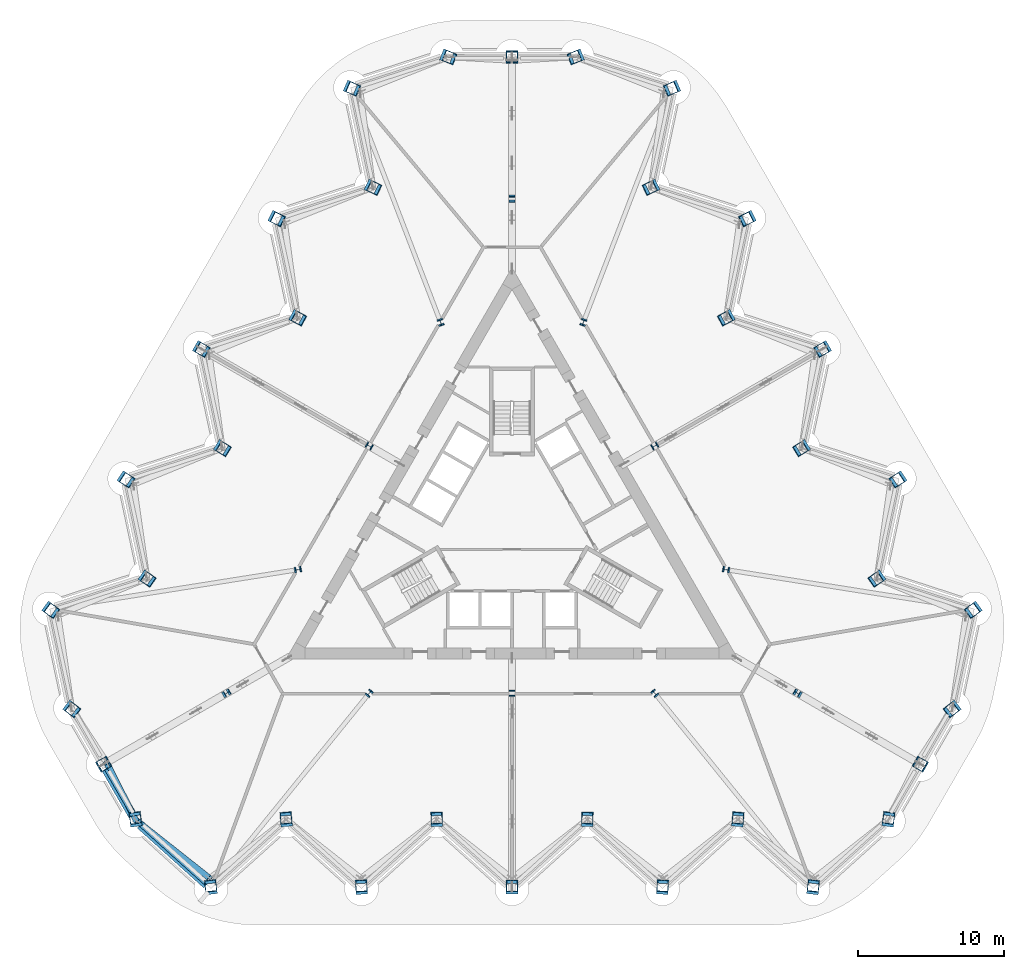
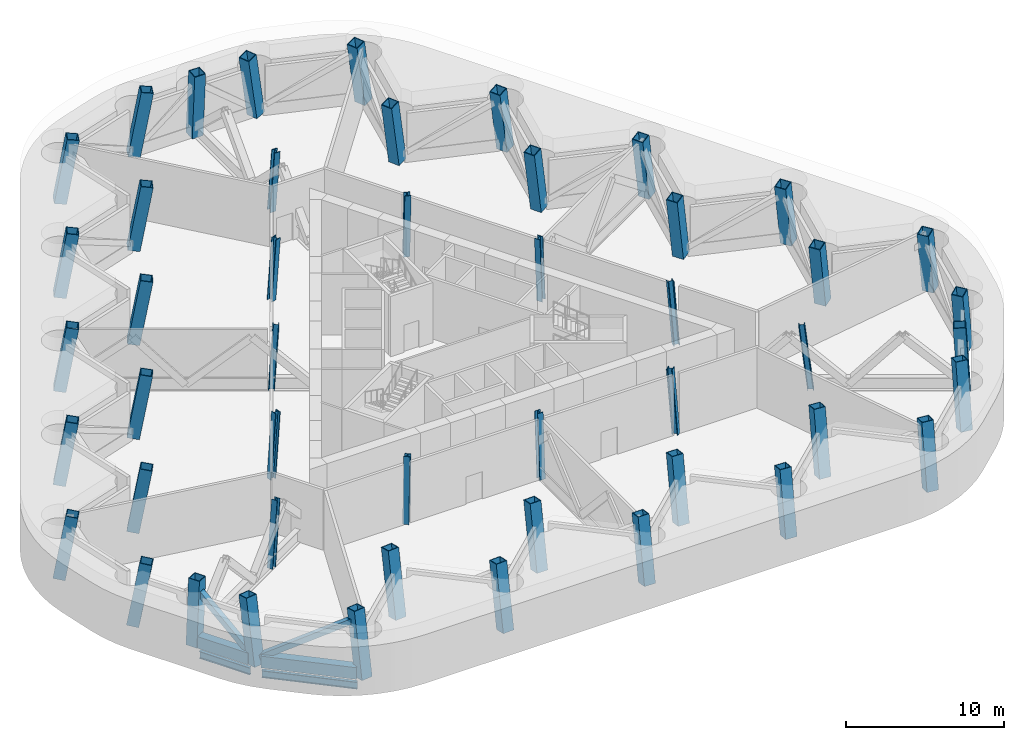
# One storey, part 1 of 13: 48 columns, 4 members, 2 beams.
"""IFC4 building model written with IfcOpenShell, lengths in metres."""

import ifcopenshell
import ifcopenshell.guid

model = None  # the IFC model being written
_history = None  # IfcOwnerHistory: only IFC2X3 demands one
_inside = {}  # id of a spatial element -> (the spatial element, [elements in it])
_under = {}  # id of a project, library or spatial element -> (it, [spatial elements below it])
_declared = {}  # id of a project -> (the project, [libraries it declares])
_typed = {}  # id of a type object -> (the type object, [elements of that type])
_made_of = {}  # id of a material, layer set ... -> (it, [elements and type objects made of it])


def new_model(schema):
    """Start an empty IFC model of exactly this schema.

    Asked for "IFC4X3", IfcOpenShell would pick the latest addendum, in which some entities
    have other attributes; the version numbers below select the first issue.
    IFC2X3 requires an IfcOwnerHistory on every rooted entity: one is made here for all.
    """
    global model, _history
    if schema == "IFC4X3":
        model = ifcopenshell.file(schema_version=(4, 3, 0, 0))
    else:
        model = ifcopenshell.file(schema=schema)
    _inside.clear()
    _under.clear()
    _declared.clear()
    _typed.clear()
    _made_of.clear()
    _history = None
    if model.schema == "IFC2X3":
        org = make("IfcOrganization", Name="unknown")
        user = make(
            "IfcPersonAndOrganization",
            ThePerson=make("IfcPerson", FamilyName="unknown"),
            TheOrganization=org,
        )
        app = make(
            "IfcApplication",
            ApplicationDeveloper=org,
            Version="unknown",
            ApplicationFullName="unknown",
            ApplicationIdentifier="unknown",
        )
        _history = make(
            "IfcOwnerHistory",
            OwningUser=user,
            OwningApplication=app,
            ChangeAction="ADDED",
            CreationDate=0,
        )
    return model


def make(cls, **values):
    """One entity of the class cls with the attributes given. An attribute that is None is left unset."""
    return model.create_entity(
        cls, **{name: value for name, value in values.items() if value is not None}
    )


def rooted(cls, **values):
    """An entity with a GlobalId (a new one), such as an element, a storey or a relation."""
    return make(cls, GlobalId=ifcopenshell.guid.new(), OwnerHistory=_history, **values)


def si_unit(unit_type, name, prefix=None):
    """IfcSIUnit, for example si_unit("LENGTHUNIT", "METRE", prefix="MILLI")."""
    return make("IfcSIUnit", UnitType=unit_type, Prefix=prefix, Name=name)


def assignment(units):
    """IfcUnitAssignment: the units of a project."""
    return None if units is None else make("IfcUnitAssignment", Units=units)


def point(xyz):
    """IfcCartesianPoint."""
    return None if xyz is None else make("IfcCartesianPoint", Coordinates=xyz)


def direction(xyz):
    """IfcDirection."""
    return None if xyz is None else make("IfcDirection", DirectionRatios=xyz)


def frame(location, z_axis=None, x_axis=None):
    """IfcAxis2Placement3D, a coordinate frame: its origin and axes. An axis left out is left unset."""
    return make(
        "IfcAxis2Placement3D",
        Location=point(location),
        Axis=direction(z_axis),
        RefDirection=direction(x_axis),
    )


def frame_2d(location, x_axis=None):
    """IfcAxis2Placement2D, a coordinate frame in the plane: its origin and x axis."""
    return make(
        "IfcAxis2Placement2D", Location=point(location), RefDirection=direction(x_axis)
    )


def origin():
    """The frame at (0, 0, 0) with its axes left unset."""
    return frame((0.0, 0.0, 0.0))


def origin_2d():
    """The frame at (0, 0) in the plane with its x axis left unset."""
    return frame_2d((0.0, 0.0))


def place(relative_to, where):
    """IfcLocalPlacement: puts the frame where relative to a parent placement (None: the world)."""
    return make(
        "IfcLocalPlacement", PlacementRelTo=relative_to, RelativePlacement=where
    )


def context(
    kind, dimensions, precision=None, world=None, true_north=None, identifier=None
):
    """IfcGeometricRepresentationContext, for example the 3D "Model" context."""
    return make(
        "IfcGeometricRepresentationContext",
        ContextIdentifier=identifier,
        ContextType=kind,
        CoordinateSpaceDimension=dimensions,
        Precision=precision,
        WorldCoordinateSystem=world,
        TrueNorth=true_north,
    )


def subcontext(parent, identifier, kind, view, scale=None):
    """IfcGeometricRepresentationSubContext, for example "Body" below "Model"."""
    return make(
        "IfcGeometricRepresentationSubContext",
        ContextIdentifier=identifier,
        ContextType=kind,
        ParentContext=parent,
        TargetScale=scale,
        TargetView=view,
    )


def project(units=None, contexts=None):
    """IfcProject with its units and contexts."""
    return rooted(
        "IfcProject",
        Name="project",
        RepresentationContexts=contexts,
        UnitsInContext=assignment(units),
    )


def spatial(cls, under=None, at=None, **own):
    """A site, building, storey or space (cls), placed at a placement, below another one or the project."""
    s = rooted(cls, ObjectPlacement=at, **own)
    if under is not None:
        _under.setdefault(under.id(), (under, []))[1].append(s)
    return s


def profile(cls, at=None, kind="AREA", **sizes):
    """A parametric profile (cls). Its sizes go by their IFC names, for example OverallWidth=200.0."""
    return make(cls, ProfileType=kind, Position=at, **sizes)


def hollow_rectangle(**sizes):
    """IfcRectangleHollowProfileDef."""
    return profile("IfcRectangleHollowProfileDef", **sizes)


def i_section(**sizes):
    """IfcIShapeProfileDef."""
    return profile("IfcIShapeProfileDef", **sizes)


def extrude(swept, where, along, depth):
    """IfcExtrudedAreaSolid: the profile swept, set in the frame where, extruded along a direction by depth."""
    return make(
        "IfcExtrudedAreaSolid",
        SweptArea=swept,
        Position=where,
        ExtrudedDirection=direction(along),
        Depth=depth,
    )


def shape(context_of_items, identifier, shape_type, items):
    """IfcShapeRepresentation: the items that make up one representation, for example the "Body"."""
    return make(
        "IfcShapeRepresentation",
        ContextOfItems=context_of_items,
        RepresentationIdentifier=identifier,
        RepresentationType=shape_type,
        Items=items,
    )


def material(Name=None, Category=None):
    """IfcMaterial."""
    return make("IfcMaterial", Name=Name, Category=Category)


def material_profile(
    of_material, cross_section, Name=None, Category=None, Priority=None
):
    """IfcMaterialProfile: a cross section and its material."""
    return make(
        "IfcMaterialProfile",
        Name=Name,
        Material=of_material,
        Profile=cross_section,
        Priority=Priority,
        Category=Category,
    )


def profile_set(profiles, Name=None, composite=None):
    """IfcMaterialProfileSet."""
    return make(
        "IfcMaterialProfileSet",
        Name=Name,
        MaterialProfiles=profiles,
        CompositeProfile=composite,
    )


def made_of(thing, what):
    """Note that an element or type object is made of a material, layer set ...; save() writes the relation."""
    if what is not None:
        _made_of.setdefault(what.id(), (what, []))[1].append(thing)
    return thing


def type_object(cls, material=None, **own):
    """A type object (cls), such as IfcWallType, which elements share."""
    return made_of(rooted(cls, **own), material)


def element(
    cls,
    number,
    at=None,
    inside=None,
    cuts=None,
    type_object=None,
    material=None,
    context=None,
    identifier="Body",
    shape_type=None,
    held_by="IfcProductDefinitionShape",
    body=None,
    shapes=None,
    **own,
):
    """One element of the class cls, such as IfcWall. Its Tag is "e" and its number.

    at: its placement. inside: the storey or other place that contains it. cuts: it is an
    opening in that element (IfcRelVoidsElement). A single representation is given by context,
    identifier, shape_type and body (its items); several are given by shapes. held_by: the class
    of the entity that holds the representations. save() writes the other relations.
    """
    e = rooted(cls, Tag="e%d" % number, ObjectPlacement=at, **own)
    if body is not None:
        shapes = [shape(context, identifier, shape_type, body)]
    if shapes is not None:
        e.Representation = make(held_by, Representations=shapes)
    if inside is not None:
        _inside.setdefault(inside.id(), (inside, []))[1].append(e)
    if cuts is not None:
        rooted(
            "IfcRelVoidsElement", RelatingBuildingElement=cuts, RelatedOpeningElement=e
        )
    if type_object is not None:
        _typed.setdefault(type_object.id(), (type_object, []))[1].append(e)
    return made_of(e, material)


def aggregate(whole, parts):
    """IfcRelAggregates: a whole, such as a stair, and the parts it consists of."""
    return rooted("IfcRelAggregates", RelatingObject=whole, RelatedObjects=parts)


def save(model, path):
    """Write the relations noted so far, then the file.

    IfcRelAggregates (storeys below a building ...), IfcRelContainedInSpatialStructure (elements
    in a storey), IfcRelDefinesByType, IfcRelAssociatesMaterial and IfcRelDeclares: one each for
    every whole, place, type object, material and project.
    """
    for whole, parts in _under.values():
        aggregate(whole, parts)
    for where, things in _inside.values():
        rooted(
            "IfcRelContainedInSpatialStructure",
            RelatedElements=things,
            RelatingStructure=where,
        )
    for kind, things in _typed.values():
        rooted("IfcRelDefinesByType", RelatedObjects=things, RelatingType=kind)
    for what, things in _made_of.values():
        rooted("IfcRelAssociatesMaterial", RelatedObjects=things, RelatingMaterial=what)
    for by, libraries in _declared.values():
        rooted("IfcRelDeclares", RelatingContext=by, RelatedDefinitions=libraries)
    model.write(path)


model = new_model("IFC4")

# Units and contexts
model_context = context("Model", 3, precision=1e-05, world=origin(), true_north=direction((0.0, 1.0)))
body_context = subcontext(model_context, "Body", "Model", "MODEL_VIEW")
ifc_project = project(units=[si_unit("LENGTHUNIT", "METRE"), si_unit("AREAUNIT", "SQUARE_METRE"), si_unit("VOLUMEUNIT", "CUBIC_METRE"), si_unit("PLANEANGLEUNIT", "RADIAN"), si_unit("MASSUNIT", "GRAM", prefix="KILO")], contexts=[model_context])

# Site, building, storey
site_placement = place(None, origin())
site = spatial("IfcSite", under=ifc_project, at=site_placement, CompositionType="ELEMENT")
building_placement = place(site_placement, origin())
building = spatial("IfcBuilding", under=site, at=building_placement, Name="Cormorant Prow Tower", CompositionType="ELEMENT")
storey_placement = place(building_placement, frame((0.0, 0.0, 226.0)))
storey = spatial("IfcBuildingStorey", under=building, at=storey_placement, Name="L49", CompositionType="ELEMENT", Elevation=226.0)

# Columns
ifc_material_1 = material(Name="Structural steel ASTM A572 Gr 50", Category="steel")
ifc_material_profile_1 = material_profile(ifc_material_1, hollow_rectangle(XDim=0.800048828125, YDim=0.800048828125, WallThickness=0.050048828125, at=origin_2d()), Name="Box 800x800x50")
ifc_profile_set_1 = profile_set([ifc_material_profile_1], Name="Structural steel ASTM A572 Gr 50")
column_type_1 = type_object("IfcColumnType", Name="Perimeter box column 800x800x50", PredefinedType="COLUMN", material=ifc_profile_set_1)
column_1_placement = place(storey_placement, frame((-25.823486328125, -20.0712890625, 0.0), z_axis=(-0.023191450174, 0.168691336745, 0.9853960572), x_axis=(-0.990681699534, -0.136197541123, 0.0)))
element("IfcColumn", 1, at=column_1_placement, inside=storey, type_object=column_type_1, Name="Perimeter column C4 at S00 L49", PredefinedType="COLUMN", context=body_context, shape_type="SweptSolid", body=[
    extrude(hollow_rectangle(XDim=0.800048828125, YDim=0.800048828125, WallThickness=0.050048828125, at=origin_2d()), frame((0.0, 0.0, 0.069091796875)), (0.0, 0.0, 1.0), 4.935791015625),
])
column_2_placement = place(storey_placement, frame((-20.658935546875, -24.7216796875, 0.0), z_axis=(-0.01853903048, 0.164636221326, 0.986180114876), x_axis=(-0.993719605933, -0.111898814941, 0.0)))
element("IfcColumn", 2, at=column_2_placement, inside=storey, type_object=column_type_1, Name="Perimeter column C4 at S01 L49", PredefinedType="COLUMN", context=body_context, shape_type="SweptSolid", body=[
    extrude(hollow_rectangle(XDim=0.800048828125, YDim=0.800048828125, WallThickness=0.050048828125, at=origin_2d()), frame((0.0, 0.0, 0.067138671875)), (0.0, 0.0, 1.0), 4.935546875),
])
column_3_placement = place(storey_placement, frame((-15.494140625, -20.0712890625, 0.0), z_axis=(-0.013907642807, 0.16872040028, 0.985565829359), x_axis=(-0.996619853329, -0.0821514939, 0.0)))
element("IfcColumn", 3, at=column_3_placement, inside=storey, type_object=column_type_1, Name="Perimeter column C4 at S02 L49", PredefinedType="COLUMN", context=body_context, shape_type="SweptSolid", body=[
    extrude(hollow_rectangle(XDim=0.800048828125, YDim=0.800048828125, WallThickness=0.050048828125, at=origin_2d()), frame((0.0, 0.0, 0.068603515625)), (0.0, 0.0, 1.0), 4.935791015625),
])
column_4_placement = place(storey_placement, frame((-10.329345703125, -24.7216796875, 0.0), z_axis=(-0.00929478787, 0.164657407907, 0.98630702367), x_axis=(-0.998410538481, -0.056359530251, 0.0)))
element("IfcColumn", 4, at=column_4_placement, inside=storey, type_object=column_type_1, Name="Perimeter column C4 at S03 L49", PredefinedType="COLUMN", context=body_context, shape_type="SweptSolid", body=[
    extrude(hollow_rectangle(XDim=0.800048828125, YDim=0.800048828125, WallThickness=0.050048828125, at=origin_2d()), frame((0.0, 0.0, 0.06689453125)), (0.0, 0.0, 1.0), 4.935546875),
])
column_5_placement = place(storey_placement, frame((-5.164794921875, -20.0712890625, 0.0), z_axis=(-0.004620237367, 0.168734918824, 0.985650638196), x_axis=(-0.999625333796, -0.027371372517, 0.0)))
element("IfcColumn", 5, at=column_5_placement, inside=storey, type_object=column_type_1, Name="Perimeter column C4 at S04 L49", PredefinedType="COLUMN", context=body_context, shape_type="SweptSolid", body=[
    extrude(hollow_rectangle(XDim=0.800048828125, YDim=0.800048828125, WallThickness=0.050048828125, at=origin_2d()), frame((0.0, 0.0, 0.068603515625)), (0.0, 0.0, 1.0), 4.935791015625),
])
column_6_placement = place(storey_placement, frame((0.0, -24.7216796875, 0.0), z_axis=(0.0, 0.164664520998, 0.986349631482), x_axis=(-1.0, 0.0, 0.0)))
element("IfcColumn", 6, at=column_6_placement, inside=storey, type_object=column_type_1, Name="Perimeter column C4 at S05 L49", PredefinedType="COLUMN", context=body_context, shape_type="SweptSolid", body=[
    extrude(hollow_rectangle(XDim=0.800048828125, YDim=0.800048828125, WallThickness=0.050048828125, at=origin_2d()), frame((0.0, 0.0, 0.06689453125)), (0.0, 0.0, 1.0), 4.935546875),
])
column_7_placement = place(storey_placement, frame((5.164794921875, -20.0712890625, 0.0), z_axis=(0.004620237367, 0.168734918824, 0.985650638196), x_axis=(-0.999625333796, 0.027371372517, 0.0)))
element("IfcColumn", 7, at=column_7_placement, inside=storey, type_object=column_type_1, Name="Perimeter column C4 at S06 L49", PredefinedType="COLUMN", context=body_context, shape_type="SweptSolid", body=[
    extrude(hollow_rectangle(XDim=0.800048828125, YDim=0.800048828125, WallThickness=0.050048828125, at=origin_2d()), frame((0.0, 0.0, 0.068603515625)), (0.0, 0.0, 1.0), 4.935791015625),
])
column_8_placement = place(storey_placement, frame((10.329345703125, -24.7216796875, 0.0), z_axis=(0.00929478787, 0.164657407907, 0.98630702367), x_axis=(-0.998410538481, 0.056359530251, 0.0)))
element("IfcColumn", 8, at=column_8_placement, inside=storey, type_object=column_type_1, Name="Perimeter column C4 at S07 L49", PredefinedType="COLUMN", context=body_context, shape_type="SweptSolid", body=[
    extrude(hollow_rectangle(XDim=0.800048828125, YDim=0.800048828125, WallThickness=0.050048828125, at=origin_2d()), frame((0.0, 0.0, 0.06689453125)), (0.0, 0.0, 1.0), 4.935546875),
])
column_9_placement = place(storey_placement, frame((15.494140625, -20.0712890625, 0.0), z_axis=(0.013907642807, 0.16872040028, 0.985565829359), x_axis=(-0.996619853329, 0.0821514939, 0.0)))
element("IfcColumn", 9, at=column_9_placement, inside=storey, type_object=column_type_1, Name="Perimeter column C4 at S08 L49", PredefinedType="COLUMN", context=body_context, shape_type="SweptSolid", body=[
    extrude(hollow_rectangle(XDim=0.800048828125, YDim=0.800048828125, WallThickness=0.050048828125, at=origin_2d()), frame((0.0, 0.0, 0.068603515625)), (0.0, 0.0, 1.0), 4.935791015625),
])
column_10_placement = place(storey_placement, frame((20.658935546875, -24.7216796875, 0.0), z_axis=(0.01853903048, 0.164636221326, 0.986180114876), x_axis=(-0.993719605933, 0.111898814941, 0.0)))
element("IfcColumn", 10, at=column_10_placement, inside=storey, type_object=column_type_1, Name="Perimeter column C4 at S09 L49", PredefinedType="COLUMN", context=body_context, shape_type="SweptSolid", body=[
    extrude(hollow_rectangle(XDim=0.800048828125, YDim=0.800048828125, WallThickness=0.050048828125, at=origin_2d()), frame((0.0, 0.0, 0.067138671875)), (0.0, 0.0, 1.0), 4.935546875),
])
column_11_placement = place(storey_placement, frame((25.823486328125, -20.0712890625, 0.0), z_axis=(0.023191450174, 0.168691336745, 0.9853960572), x_axis=(-0.990681699534, 0.136197541123, 0.0)))
element("IfcColumn", 11, at=column_11_placement, inside=storey, type_object=column_type_1, Name="Perimeter column C4 at ESE00 L49", PredefinedType="COLUMN", context=body_context, shape_type="SweptSolid", body=[
    extrude(hollow_rectangle(XDim=0.800048828125, YDim=0.800048828125, WallThickness=0.050048828125, at=origin_2d()), frame((0.0, 0.0, 0.069091796875)), (0.0, 0.0, 1.0), 4.935791015625),
])
column_12_placement = place(storey_placement, frame((28.058837890625, -16.19970703125, 0.0), z_axis=(-0.056374318387, 0.032548007504, 0.997879032465), x_axis=(-0.500003221507, -0.866023543838, 0.0)))
element("IfcColumn", 12, at=column_12_placement, inside=storey, type_object=column_type_1, Name="Perimeter column C4 at ESE01 L49", PredefinedType="COLUMN", context=body_context, shape_type="SweptSolid", body=[
    extrude(hollow_rectangle(XDim=0.800048828125, YDim=0.800048828125, WallThickness=0.050048828125, at=origin_2d()), frame((0.0, 0.0, 0.026123046875)), (0.0, 0.0, 1.0), 4.95849609375),
])
column_13_placement = place(storey_placement, frame((30.2939453125, -12.328369140625, 0.0), z_axis=(-0.134482076703, -0.104410055973, 0.985399975268), x_axis=(0.613255605762, -0.789884524473, 0.0)))
element("IfcColumn", 13, at=column_13_placement, inside=storey, type_object=column_type_1, Name="Perimeter column C4 at ENE00 L49", PredefinedType="COLUMN", context=body_context, shape_type="SweptSolid", body=[
    extrude(hollow_rectangle(XDim=0.800048828125, YDim=0.800048828125, WallThickness=0.050048828125, at=origin_2d()), frame((0.0, 0.0, 0.069091796875)), (0.0, 0.0, 1.0), 4.935791015625),
])
column_14_placement = place(storey_placement, frame((31.739013671875, -5.5302734375, 0.0), z_axis=(-0.133288732676, -0.098377485859, 0.986182530781), x_axis=(0.593843336629, -0.804580692995, 0.0)))
element("IfcColumn", 14, at=column_14_placement, inside=storey, type_object=column_type_1, Name="Perimeter column C4 at ENE01 L49", PredefinedType="COLUMN", context=body_context, shape_type="SweptSolid", body=[
    extrude(hollow_rectangle(XDim=0.800048828125, YDim=0.800048828125, WallThickness=0.050048828125, at=origin_2d()), frame((0.0, 0.0, 0.067138671875)), (0.0, 0.0, 1.0), 4.935546875),
])
column_15_placement = place(storey_placement, frame((25.12939453125, -3.3828125, 0.0), z_axis=(-0.139172656038, -0.096391020071, 0.985565696979), x_axis=(0.569372564358, -0.822079608649, 0.0)))
element("IfcColumn", 15, at=column_15_placement, inside=storey, type_object=column_type_1, Name="Perimeter column C4 at ENE02 L49", PredefinedType="COLUMN", context=body_context, shape_type="SweptSolid", body=[
    extrude(hollow_rectangle(XDim=0.800048828125, YDim=0.800048828125, WallThickness=0.050048828125, at=origin_2d()), frame((0.0, 0.0, 0.068603515625)), (0.0, 0.0, 1.0), 4.935791015625),
])
column_16_placement = place(storey_placement, frame((26.57421875, 3.415283203125, 0.0), z_axis=(-0.137929662691, -0.090347781846, 0.986312671755), x_axis=(0.547941692307, -0.836516528128, 0.0)))
element("IfcColumn", 16, at=column_16_placement, inside=storey, type_object=column_type_1, Name="Perimeter column C4 at ENE03 L49", PredefinedType="COLUMN", context=body_context, shape_type="SweptSolid", body=[
    extrude(hollow_rectangle(XDim=0.800048828125, YDim=0.800048828125, WallThickness=0.050048828125, at=origin_2d()), frame((0.0, 0.0, 0.06689453125)), (0.0, 0.0, 1.0), 4.935546875),
])
column_17_placement = place(storey_placement, frame((19.964599609375, 5.562744140625, 0.0), z_axis=(-0.143805256431, -0.088362266, 0.985653163222), x_axis=(0.52352457136, -0.852010576919, 0.0)))
element("IfcColumn", 17, at=column_17_placement, inside=storey, type_object=column_type_1, Name="Perimeter column C4 at ENE04 L49", PredefinedType="COLUMN", context=body_context, shape_type="SweptSolid", body=[
    extrude(hollow_rectangle(XDim=0.800048828125, YDim=0.800048828125, WallThickness=0.050048828125, at=origin_2d()), frame((0.0, 0.0, 0.068603515625)), (0.0, 0.0, 1.0), 4.935791015625),
])
column_18_placement = place(storey_placement, frame((21.409423828125, 12.36083984375, 0.0), z_axis=(-0.142558983537, -0.082356710084, 0.986354048259), x_axis=(0.500228859883, -0.865893231143, 0.0)))
element("IfcColumn", 18, at=column_18_placement, inside=storey, type_object=column_type_1, Name="Perimeter column C4 at ENE05 L49", PredefinedType="COLUMN", context=body_context, shape_type="SweptSolid", body=[
    extrude(hollow_rectangle(XDim=0.800048828125, YDim=0.800048828125, WallThickness=0.050048828125, at=origin_2d()), frame((0.0, 0.0, 0.066650390625)), (0.0, 0.0, 1.0), 4.935546875),
])
column_19_placement = place(storey_placement, frame((14.7998046875, 14.50830078125, 0.0), z_axis=(-0.14842592214, -0.080325182896, 0.98565592913), x_axis=(0.475952391662, -0.879471046067, 0.0)))
element("IfcColumn", 19, at=column_19_placement, inside=storey, type_object=column_type_1, Name="Perimeter column C4 at ENE06 L49", PredefinedType="COLUMN", context=body_context, shape_type="SweptSolid", body=[
    extrude(hollow_rectangle(XDim=0.800048828125, YDim=0.800048828125, WallThickness=0.050048828125, at=origin_2d()), frame((0.0, 0.0, 0.068603515625)), (0.0, 0.0, 1.0), 4.935791015625),
])
column_20_placement = place(storey_placement, frame((16.244873046875, 21.306396484375, 0.0), z_axis=(-0.147223782271, -0.074310204791, 0.986307838049), x_axis=(0.450597903076, -0.892727018603, 0.0)))
element("IfcColumn", 20, at=column_20_placement, inside=storey, type_object=column_type_1, Name="Perimeter column C4 at ENE07 L49", PredefinedType="COLUMN", context=body_context, shape_type="SweptSolid", body=[
    extrude(hollow_rectangle(XDim=0.800048828125, YDim=0.800048828125, WallThickness=0.050048828125, at=origin_2d()), frame((0.0, 0.0, 0.06689453125)), (0.0, 0.0, 1.0), 4.935546875),
])
column_21_placement = place(storey_placement, frame((9.63525390625, 23.453857421875, 0.0), z_axis=(-0.153080457926, -0.072281310218, 0.985566733202), x_axis=(0.426974022071, -0.90426389095, 0.0)))
element("IfcColumn", 21, at=column_21_placement, inside=storey, type_object=column_type_1, Name="Perimeter column C4 at ENE08 L49", PredefinedType="COLUMN", context=body_context, shape_type="SweptSolid", body=[
    extrude(hollow_rectangle(XDim=0.800048828125, YDim=0.800048828125, WallThickness=0.050048828125, at=origin_2d()), frame((0.0, 0.0, 0.068603515625)), (0.0, 0.0, 1.0), 4.935791015625),
])
column_22_placement = place(storey_placement, frame((11.080078125, 30.251953125, 0.0), z_axis=(-0.151827964883, -0.066259207003, 0.986183546084), x_axis=(0.399979973786, -0.916523878887, 0.0)))
element("IfcColumn", 22, at=column_22_placement, inside=storey, type_object=column_type_1, Name="Perimeter column C4 at ENE09 L49", PredefinedType="COLUMN", context=body_context, shape_type="SweptSolid", body=[
    extrude(hollow_rectangle(XDim=0.800048828125, YDim=0.800048828125, WallThickness=0.050048828125, at=origin_2d()), frame((0.0, 0.0, 0.067138671875)), (0.0, 0.0, 1.0), 4.935546875),
])
column_23_placement = place(storey_placement, frame((4.470458984375, 32.3994140625, 0.0), z_axis=(-0.157673613797, -0.064233834122, 0.985399942189), x_axis=(0.377278933453, -0.926099674102, 0.0)))
element("IfcColumn", 23, at=column_23_placement, inside=storey, type_object=column_type_1, Name="Perimeter column C4 at N00 L49", PredefinedType="COLUMN", context=body_context, shape_type="SweptSolid", body=[
    extrude(hollow_rectangle(XDim=0.800048828125, YDim=0.800048828125, WallThickness=0.050048828125, at=origin_2d()), frame((0.0, 0.0, 0.069091796875)), (0.0, 0.0, 1.0), 4.935791015625),
])
column_24_placement = place(storey_placement, frame((0.0, 32.3994140625, 0.0), z_axis=(0.0, -0.06504749491, 0.997882169099), x_axis=(1.0, 0.0, 0.0)))
element("IfcColumn", 24, at=column_24_placement, inside=storey, type_object=column_type_1, Name="Perimeter column C4 at N01 L49", PredefinedType="COLUMN", context=body_context, shape_type="SweptSolid", body=[
    extrude(hollow_rectangle(XDim=0.800048828125, YDim=0.800048828125, WallThickness=0.050048828125, at=origin_2d()), frame((0.0, 0.0, 0.026123046875)), (0.0, 0.0, 1.0), 4.95849609375),
])
column_25_placement = place(storey_placement, frame((-4.470458984375, 32.3994140625, 0.0), z_axis=(0.157673613797, -0.064233834122, 0.985399942189), x_axis=(0.377278933453, 0.926099674102, 0.0)))
element("IfcColumn", 25, at=column_25_placement, inside=storey, type_object=column_type_1, Name="Perimeter column C4 at WNW00 L49", PredefinedType="COLUMN", context=body_context, shape_type="SweptSolid", body=[
    extrude(hollow_rectangle(XDim=0.800048828125, YDim=0.800048828125, WallThickness=0.050048828125, at=origin_2d()), frame((0.0, 0.0, 0.069091796875)), (0.0, 0.0, 1.0), 4.935791015625),
])
column_26_placement = place(storey_placement, frame((-11.080078125, 30.251953125, 0.0), z_axis=(0.151827964883, -0.066259207003, 0.986183546084), x_axis=(0.399979973786, 0.916523878887, 0.0)))
element("IfcColumn", 26, at=column_26_placement, inside=storey, type_object=column_type_1, Name="Perimeter column C4 at WNW01 L49", PredefinedType="COLUMN", context=body_context, shape_type="SweptSolid", body=[
    extrude(hollow_rectangle(XDim=0.800048828125, YDim=0.800048828125, WallThickness=0.050048828125, at=origin_2d()), frame((0.0, 0.0, 0.067138671875)), (0.0, 0.0, 1.0), 4.935546875),
])
column_27_placement = place(storey_placement, frame((-9.63525390625, 23.453857421875, 0.0), z_axis=(0.153080457926, -0.072281310218, 0.985566733202), x_axis=(0.426974022071, 0.90426389095, 0.0)))
element("IfcColumn", 27, at=column_27_placement, inside=storey, type_object=column_type_1, Name="Perimeter column C4 at WNW02 L49", PredefinedType="COLUMN", context=body_context, shape_type="SweptSolid", body=[
    extrude(hollow_rectangle(XDim=0.800048828125, YDim=0.800048828125, WallThickness=0.050048828125, at=origin_2d()), frame((0.0, 0.0, 0.068603515625)), (0.0, 0.0, 1.0), 4.935791015625),
])
column_28_placement = place(storey_placement, frame((-16.244873046875, 21.306396484375, 0.0), z_axis=(0.147223782271, -0.074310204791, 0.986307838049), x_axis=(0.450597903076, 0.892727018603, 0.0)))
element("IfcColumn", 28, at=column_28_placement, inside=storey, type_object=column_type_1, Name="Perimeter column C4 at WNW03 L49", PredefinedType="COLUMN", context=body_context, shape_type="SweptSolid", body=[
    extrude(hollow_rectangle(XDim=0.800048828125, YDim=0.800048828125, WallThickness=0.050048828125, at=origin_2d()), frame((0.0, 0.0, 0.06689453125)), (0.0, 0.0, 1.0), 4.935546875),
])
column_29_placement = place(storey_placement, frame((-14.7998046875, 14.50830078125, 0.0), z_axis=(0.14842592214, -0.080325182896, 0.98565592913), x_axis=(0.475952391662, 0.879471046067, 0.0)))
element("IfcColumn", 29, at=column_29_placement, inside=storey, type_object=column_type_1, Name="Perimeter column C4 at WNW04 L49", PredefinedType="COLUMN", context=body_context, shape_type="SweptSolid", body=[
    extrude(hollow_rectangle(XDim=0.800048828125, YDim=0.800048828125, WallThickness=0.050048828125, at=origin_2d()), frame((0.0, 0.0, 0.068603515625)), (0.0, 0.0, 1.0), 4.935791015625),
])
column_30_placement = place(storey_placement, frame((-21.409423828125, 12.36083984375, 0.0), z_axis=(0.142558983537, -0.082356710084, 0.986354048259), x_axis=(0.500228859883, 0.865893231143, 0.0)))
element("IfcColumn", 30, at=column_30_placement, inside=storey, type_object=column_type_1, Name="Perimeter column C4 at WNW05 L49", PredefinedType="COLUMN", context=body_context, shape_type="SweptSolid", body=[
    extrude(hollow_rectangle(XDim=0.800048828125, YDim=0.800048828125, WallThickness=0.050048828125, at=origin_2d()), frame((0.0, 0.0, 0.066650390625)), (0.0, 0.0, 1.0), 4.935546875),
])
column_31_placement = place(storey_placement, frame((-19.964599609375, 5.562744140625, 0.0), z_axis=(0.143805256431, -0.088362266, 0.985653163222), x_axis=(0.52352457136, 0.852010576919, 0.0)))
element("IfcColumn", 31, at=column_31_placement, inside=storey, type_object=column_type_1, Name="Perimeter column C4 at WNW06 L49", PredefinedType="COLUMN", context=body_context, shape_type="SweptSolid", body=[
    extrude(hollow_rectangle(XDim=0.800048828125, YDim=0.800048828125, WallThickness=0.050048828125, at=origin_2d()), frame((0.0, 0.0, 0.068603515625)), (0.0, 0.0, 1.0), 4.935791015625),
])
column_32_placement = place(storey_placement, frame((-26.57421875, 3.415283203125, 0.0), z_axis=(0.137929662691, -0.090347781846, 0.986312671755), x_axis=(0.547941692307, 0.836516528128, 0.0)))
element("IfcColumn", 32, at=column_32_placement, inside=storey, type_object=column_type_1, Name="Perimeter column C4 at WNW07 L49", PredefinedType="COLUMN", context=body_context, shape_type="SweptSolid", body=[
    extrude(hollow_rectangle(XDim=0.800048828125, YDim=0.800048828125, WallThickness=0.050048828125, at=origin_2d()), frame((0.0, 0.0, 0.06689453125)), (0.0, 0.0, 1.0), 4.935546875),
])
column_33_placement = place(storey_placement, frame((-25.12939453125, -3.3828125, 0.0), z_axis=(0.139172656038, -0.096391020071, 0.985565696979), x_axis=(0.569372564358, 0.822079608649, 0.0)))
element("IfcColumn", 33, at=column_33_placement, inside=storey, type_object=column_type_1, Name="Perimeter column C4 at WNW08 L49", PredefinedType="COLUMN", context=body_context, shape_type="SweptSolid", body=[
    extrude(hollow_rectangle(XDim=0.800048828125, YDim=0.800048828125, WallThickness=0.050048828125, at=origin_2d()), frame((0.0, 0.0, 0.068603515625)), (0.0, 0.0, 1.0), 4.935791015625),
])
column_34_placement = place(storey_placement, frame((-31.739013671875, -5.5302734375, 0.0), z_axis=(0.133288732676, -0.098377485859, 0.986182530781), x_axis=(0.593843336629, 0.804580692995, 0.0)))
element("IfcColumn", 34, at=column_34_placement, inside=storey, type_object=column_type_1, Name="Perimeter column C4 at WNW09 L49", PredefinedType="COLUMN", context=body_context, shape_type="SweptSolid", body=[
    extrude(hollow_rectangle(XDim=0.800048828125, YDim=0.800048828125, WallThickness=0.050048828125, at=origin_2d()), frame((0.0, 0.0, 0.067138671875)), (0.0, 0.0, 1.0), 4.935546875),
])
column_35_placement = place(storey_placement, frame((-30.2939453125, -12.328369140625, 0.0), z_axis=(0.134482076703, -0.104410055973, 0.985399975268), x_axis=(0.613255605762, 0.789884524473, 0.0)))
element("IfcColumn", 35, at=column_35_placement, inside=storey, type_object=column_type_1, Name="Perimeter column C4 at WSW00 L49", PredefinedType="COLUMN", context=body_context, shape_type="SweptSolid", body=[
    extrude(hollow_rectangle(XDim=0.800048828125, YDim=0.800048828125, WallThickness=0.050048828125, at=origin_2d()), frame((0.0, 0.0, 0.069091796875)), (0.0, 0.0, 1.0), 4.935791015625),
])
column_36_placement = place(storey_placement, frame((-28.058837890625, -16.19970703125, 0.0), z_axis=(0.056374318387, 0.032548007504, 0.997879032465), x_axis=(-0.500003221507, 0.866023543838, 0.0)))
element("IfcColumn", 36, at=column_36_placement, inside=storey, type_object=column_type_1, Name="Perimeter column C4 at WSW01 L49", PredefinedType="COLUMN", context=body_context, shape_type="SweptSolid", body=[
    extrude(hollow_rectangle(XDim=0.800048828125, YDim=0.800048828125, WallThickness=0.050048828125, at=origin_2d()), frame((0.0, 0.0, 0.026123046875)), (0.0, 0.0, 1.0), 4.95849609375),
])
ifc_material_2 = material(Name="Structural steel ASTM A992 Gr 50", Category="steel")
ifc_material_profile_2 = material_profile(ifc_material_2, i_section(OverallWidth=0.403564453125, OverallDepth=0.407470703125, WebThickness=0.027099609375, FlangeThickness=0.043701171875, at=origin_2d()), Name="W14x233")
ifc_profile_set_2 = profile_set([ifc_material_profile_2], Name="Structural steel ASTM A992 Gr 50")
column_type_2 = type_object("IfcColumnType", Name="Ring column W14x233", PredefinedType="COLUMN", material=ifc_profile_set_2)
column_37_placement = place(storey_placement, frame((0.0, 22.69775390625, 0.0), z_axis=(0.0, -0.114668294402, 0.993403836443), x_axis=(1.0, 0.0, 0.0)))
element("IfcColumn", 37, at=column_37_placement, inside=storey, type_object=column_type_2, Name="Ring column 1 L49", PredefinedType="COLUMN", context=body_context, shape_type="SweptSolid", body=[
    extrude(i_section(OverallWidth=0.403564453125, OverallDepth=0.407470703125, WebThickness=0.027099609375, FlangeThickness=0.043701171875, at=origin_2d()), frame((0.0, 0.0, 0.0234375)), (0.0, 0.0, 1.0), 4.986083984375),
])
column_38_placement = place(storey_placement, frame((-4.914306640625, 14.186279296875, 0.0), z_axis=(0.024927314899, -0.072006833468, 0.997092595954), x_axis=(0.944978476916, 0.327132508574, 0.0)))
element("IfcColumn", 38, at=column_38_placement, inside=storey, type_object=column_type_2, Name="Ring column 2 L49", PredefinedType="COLUMN", context=body_context, shape_type="SweptSolid", body=[
    extrude(i_section(OverallWidth=0.403564453125, OverallDepth=0.407470703125, WebThickness=0.027099609375, FlangeThickness=0.043701171875, at=origin_2d()), frame((0.0, 0.0, 0.015625)), (0.0, 0.0, 1.0), 4.9833984375),
])
column_39_placement = place(storey_placement, frame((-9.828369140625, 5.674560546875, 0.0), z_axis=(0.049916818753, -0.028858160841, 0.998336375055), x_axis=(0.500502949238, 0.865734831114, 0.0)))
element("IfcColumn", 39, at=column_39_placement, inside=storey, type_object=column_type_2, Name="Ring column 3 L49", PredefinedType="COLUMN", context=body_context, shape_type="SweptSolid", body=[
    extrude(i_section(OverallWidth=0.403564453125, OverallDepth=0.407470703125, WebThickness=0.027099609375, FlangeThickness=0.043701171875, at=origin_2d()), frame((0.0, 0.0, 0.01171875)), (0.0, 0.0, 1.0), 4.98486328125),
])
column_40_placement = place(storey_placement, frame((-14.74267578125, -2.837158203125, 0.0), z_axis=(0.074782233985, 0.014362473324, 0.997096453128), x_axis=(-0.188610251533, 0.982052021543, 0.0)))
element("IfcColumn", 40, at=column_40_placement, inside=storey, type_object=column_type_2, Name="Ring column 4 L49", PredefinedType="COLUMN", context=body_context, shape_type="SweptSolid", body=[
    extrude(i_section(OverallWidth=0.403564453125, OverallDepth=0.407470703125, WebThickness=0.027099609375, FlangeThickness=0.043701171875, at=origin_2d()), frame((0.0, 0.0, 0.015625)), (0.0, 0.0, 1.0), 4.9833984375),
])
column_41_placement = place(storey_placement, frame((-19.656982421875, -11.348876953125, 0.0), z_axis=(0.099340040995, 0.057333949442, 0.993400409954), x_axis=(-0.499868889286, 0.866101087359, 0.0)))
element("IfcColumn", 41, at=column_41_placement, inside=storey, type_object=column_type_2, Name="Ring column 5 L49", PredefinedType="COLUMN", context=body_context, shape_type="SweptSolid", body=[
    extrude(i_section(OverallWidth=0.403564453125, OverallDepth=0.407470703125, WebThickness=0.027099609375, FlangeThickness=0.043701171875, at=origin_2d()), frame((0.0, 0.0, 0.0234375)), (0.0, 0.0, 1.0), 4.986083984375),
])
column_42_placement = place(storey_placement, frame((-9.828369140625, -11.348876953125, 0.0), z_axis=(0.049854859349, 0.057547308351, 0.997097186989), x_axis=(-0.755815657913, 0.654784461677, 0.0)))
element("IfcColumn", 42, at=column_42_placement, inside=storey, type_object=column_type_2, Name="Ring column 6 L49", PredefinedType="COLUMN", context=body_context, shape_type="SweptSolid", body=[
    extrude(i_section(OverallWidth=0.403564453125, OverallDepth=0.407470703125, WebThickness=0.027099609375, FlangeThickness=0.043701171875, at=origin_2d()), frame((0.0, 0.0, 0.015625)), (0.0, 0.0, 1.0), 4.9833984375),
])
column_43_placement = place(storey_placement, frame((0.0, -11.348876953125, 0.0), z_axis=(0.0, 0.057618959063, 0.998338647733), x_axis=(-1.0, 0.0, 0.0)))
element("IfcColumn", 43, at=column_43_placement, inside=storey, type_object=column_type_2, Name="Ring column 7 L49", PredefinedType="COLUMN", context=body_context, shape_type="SweptSolid", body=[
    extrude(i_section(OverallWidth=0.403564453125, OverallDepth=0.407470703125, WebThickness=0.027099609375, FlangeThickness=0.043701171875, at=origin_2d()), frame((0.0, 0.0, 0.01171875)), (0.0, 0.0, 1.0), 4.98486328125),
])
column_44_placement = place(storey_placement, frame((9.828369140625, -11.348876953125, 0.0), z_axis=(-0.049854859349, 0.057547308351, 0.997097186989), x_axis=(-0.755815657913, -0.654784461677, 0.0)))
element("IfcColumn", 44, at=column_44_placement, inside=storey, type_object=column_type_2, Name="Ring column 8 L49", PredefinedType="COLUMN", context=body_context, shape_type="SweptSolid", body=[
    extrude(i_section(OverallWidth=0.403564453125, OverallDepth=0.407470703125, WebThickness=0.027099609375, FlangeThickness=0.043701171875, at=origin_2d()), frame((0.0, 0.0, 0.015625)), (0.0, 0.0, 1.0), 4.9833984375),
])
column_45_placement = place(storey_placement, frame((19.656982421875, -11.348876953125, 0.0), z_axis=(-0.099340040995, 0.057333949442, 0.993400409954), x_axis=(-0.499868889286, -0.866101087359, 0.0)))
element("IfcColumn", 45, at=column_45_placement, inside=storey, type_object=column_type_2, Name="Ring column 9 L49", PredefinedType="COLUMN", context=body_context, shape_type="SweptSolid", body=[
    extrude(i_section(OverallWidth=0.403564453125, OverallDepth=0.407470703125, WebThickness=0.027099609375, FlangeThickness=0.043701171875, at=origin_2d()), frame((0.0, 0.0, 0.0234375)), (0.0, 0.0, 1.0), 4.986083984375),
])
column_46_placement = place(storey_placement, frame((14.74267578125, -2.837158203125, 0.0), z_axis=(-0.074782233985, 0.014362473324, 0.997096453128), x_axis=(-0.188610251533, -0.982052021543, 0.0)))
element("IfcColumn", 46, at=column_46_placement, inside=storey, type_object=column_type_2, Name="Ring column 10 L49", PredefinedType="COLUMN", context=body_context, shape_type="SweptSolid", body=[
    extrude(i_section(OverallWidth=0.403564453125, OverallDepth=0.407470703125, WebThickness=0.027099609375, FlangeThickness=0.043701171875, at=origin_2d()), frame((0.0, 0.0, 0.015625)), (0.0, 0.0, 1.0), 4.9833984375),
])
column_47_placement = place(storey_placement, frame((9.828369140625, 5.674560546875, 0.0), z_axis=(-0.049916818753, -0.028858160841, 0.998336375055), x_axis=(0.500502949238, -0.865734831114, 0.0)))
element("IfcColumn", 47, at=column_47_placement, inside=storey, type_object=column_type_2, Name="Ring column 11 L49", PredefinedType="COLUMN", context=body_context, shape_type="SweptSolid", body=[
    extrude(i_section(OverallWidth=0.403564453125, OverallDepth=0.407470703125, WebThickness=0.027099609375, FlangeThickness=0.043701171875, at=origin_2d()), frame((0.0, 0.0, 0.01171875)), (0.0, 0.0, 1.0), 4.98486328125),
])
column_48_placement = place(storey_placement, frame((4.914306640625, 14.186279296875, 0.0), z_axis=(-0.024927314899, -0.072006833468, 0.997092595954), x_axis=(0.944978476916, -0.327132508574, 0.0)))
element("IfcColumn", 48, at=column_48_placement, inside=storey, type_object=column_type_2, Name="Ring column 12 L49", PredefinedType="COLUMN", context=body_context, shape_type="SweptSolid", body=[
    extrude(i_section(OverallWidth=0.403564453125, OverallDepth=0.407470703125, WebThickness=0.027099609375, FlangeThickness=0.043701171875, at=origin_2d()), frame((0.0, 0.0, 0.015625)), (0.0, 0.0, 1.0), 4.9833984375),
])

# Members
ifc_material_3 = material(Name="Structural steel ASTM A572 Gr 50", Category="steel")
ifc_material_profile_3 = material_profile(ifc_material_3, hollow_rectangle(XDim=0.60009765625, YDim=0.89990234375, WallThickness=0.06005859375, at=origin_2d()), Name="Box 900x600x60")
ifc_profile_set_3 = profile_set([ifc_material_profile_3], Name="Structural steel ASTM A572 Gr 50")
member_type_1 = type_object("IfcMemberType", Name="Belt truss bottom chord 900x600x60", PredefinedType="CHORD", material=ifc_profile_set_3)
member_1_placement = place(storey_placement, frame((-25.5263671875, -20.3388671875, 0.449951171875), z_axis=(0.743155953285, -0.669118247469, 0.0), x_axis=(0.669118247469, 0.743155953285, 0.0)))
element("IfcMember", 49, at=member_1_placement, inside=storey, type_object=member_type_1, Name="Belt truss bottom chord S00-S01 L49", PredefinedType="CHORD", context=body_context, shape_type="SweptSolid", body=[
    extrude(hollow_rectangle(XDim=0.60009765625, YDim=0.89990234375, WallThickness=0.06005859375, at=origin_2d()), origin(), (0.0, 0.0, 1.0), 6.14990234375),
])
member_2_placement = place(storey_placement, frame((-27.85888671875, -16.546142578125, 0.449951171875), z_axis=(0.499994986164, -0.866028298505, 0.0), x_axis=(0.866028298505, 0.499994986164, 0.0)))
element("IfcMember", 50, at=member_2_placement, inside=storey, type_object=member_type_1, Name="Belt truss bottom chord WSW01-S00 L49", PredefinedType="CHORD", context=body_context, shape_type="SweptSolid", body=[
    extrude(hollow_rectangle(XDim=0.60009765625, YDim=0.89990234375, WallThickness=0.06005859375, at=origin_2d()), origin(), (0.0, 0.0, 1.0), 3.67041015625),
])
ifc_material_4 = material(Name="Structural steel ASTM A500 Gr C", Category="steel")
ifc_material_profile_4 = material_profile(ifc_material_4, hollow_rectangle(XDim=0.406494140625, YDim=0.406494140625, WallThickness=0.014892578125, at=origin_2d()), Name="HSS16x16x5/8")
ifc_profile_set_4 = profile_set([ifc_material_profile_4], Name="Structural steel ASTM A500 Gr C")
member_type_2 = type_object("IfcMemberType", Name="Belt truss diagonal HSS16x16x5/8", PredefinedType="BRACE", material=ifc_profile_set_4)
member_3_placement = place(storey_placement, frame((-25.834228515625, -19.994140625, 0.449951171875), z_axis=(-0.343519302572, 0.679568959376, 0.648213327704), x_axis=(-0.892456653532, -0.451133152813, 0.0)))
element("IfcMember", 51, at=member_3_placement, inside=storey, type_object=member_type_2, Name="Belt truss diagonal WSW01-S00 L49", PredefinedType="BRACE", context=body_context, shape_type="SweptSolid", body=[
    extrude(hollow_rectangle(XDim=0.406494140625, YDim=0.406494140625, WallThickness=0.014892578125, at=origin_2d()), origin(), (0.0, 0.0, 1.0), 5.78515625),
])
ifc_material_5 = material(Name="Structural steel ASTM A500 Gr C", Category="steel")
ifc_material_profile_5 = material_profile(ifc_material_5, hollow_rectangle(XDim=0.406494140625, YDim=0.406494140625, WallThickness=0.014892578125, at=origin_2d()), Name="HSS16x16x5/8")
ifc_profile_set_5 = profile_set([ifc_material_profile_5], Name="Structural steel ASTM A500 Gr C")
member_type_3 = type_object("IfcMemberType", Name="Belt truss strut HSS16x16x5/8", PredefinedType="STRUT", material=ifc_profile_set_5)
member_4_placement = place(storey_placement, frame((-25.834228515625, -19.994140625, 0.449951171875), z_axis=(0.679538100871, -0.536859514231, 0.500009831348), x_axis=(0.619916033243, 0.78466815389, 0.0)))
element("IfcMember", 52, at=member_4_placement, inside=storey, type_object=member_type_3, Name="Belt truss strut S00-S01 L49", PredefinedType="STRUT", context=body_context, shape_type="SweptSolid", body=[
    extrude(hollow_rectangle(XDim=0.406494140625, YDim=0.406494140625, WallThickness=0.014892578125, at=origin_2d()), origin(), (0.0, 0.0, 1.0), 7.499755859375),
])

# Beams
ifc_material_6 = material(Name="Structural steel ASTM A992 Gr 50", Category="steel")
ifc_material_profile_6 = material_profile(ifc_material_6, i_section(OverallWidth=0.2138671875, OverallDepth=0.549072265625, WebThickness=0.0146484375, FlangeThickness=0.023681640625, at=origin_2d()), Name="W21x93")
ifc_profile_set_6 = profile_set([ifc_material_profile_6], Name="Structural steel ASTM A992 Gr 50")
beam_type = type_object("IfcBeamType", Name="Spandrel beam W21x93", PredefinedType="SPANDREL", material=ifc_profile_set_6)
beam_1_placement = place(storey_placement, frame((-25.5263671875, -20.3388671875, -0.62451171875), z_axis=(0.743155953285, -0.669118247469, 0.0), x_axis=(0.669118247469, 0.743155953285, 0.0)))
element("IfcBeam", 53, at=beam_1_placement, inside=storey, type_object=beam_type, Name="Spandrel beam SB2 S00-S01 L49", PredefinedType="SPANDREL", context=body_context, shape_type="SweptSolid", body=[
    extrude(i_section(OverallWidth=0.2138671875, OverallDepth=0.549072265625, WebThickness=0.0146484375, FlangeThickness=0.023681640625, at=origin_2d()), origin(), (0.0, 0.0, 1.0), 6.14990234375),
])
beam_2_placement = place(storey_placement, frame((-27.85888671875, -16.546142578125, -0.62451171875), z_axis=(0.499994986164, -0.866028298505, 0.0), x_axis=(0.866028298505, 0.499994986164, 0.0)))
element("IfcBeam", 54, at=beam_2_placement, inside=storey, type_object=beam_type, Name="Spandrel beam SB2 WSW01-S00 L49", PredefinedType="SPANDREL", context=body_context, shape_type="SweptSolid", body=[
    extrude(i_section(OverallWidth=0.2138671875, OverallDepth=0.549072265625, WebThickness=0.0146484375, FlangeThickness=0.023681640625, at=origin_2d()), origin(), (0.0, 0.0, 1.0), 3.67041015625),
])

save(model, "model.ifc")
